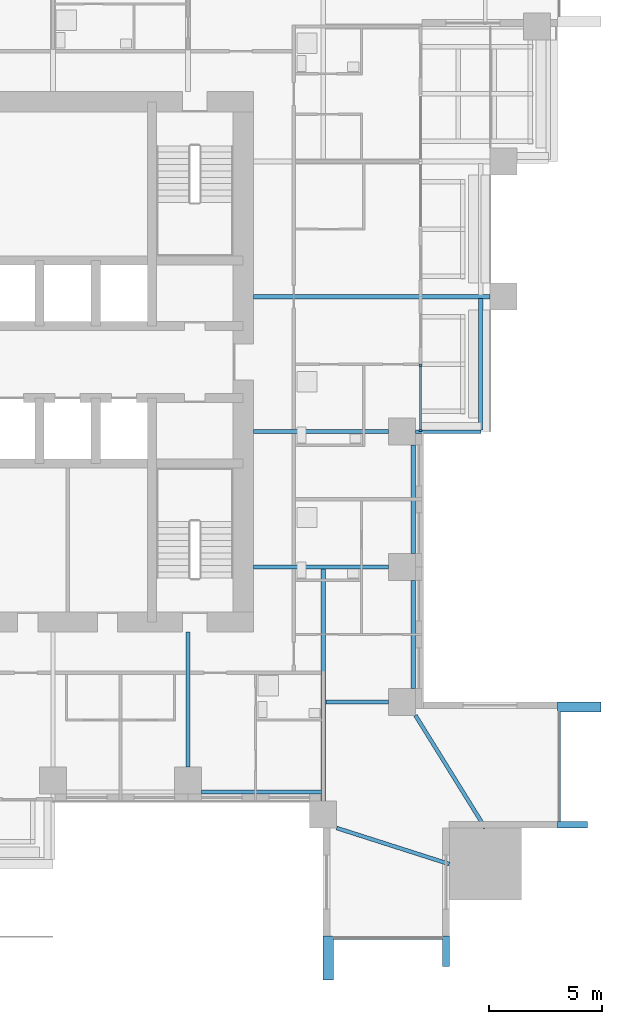
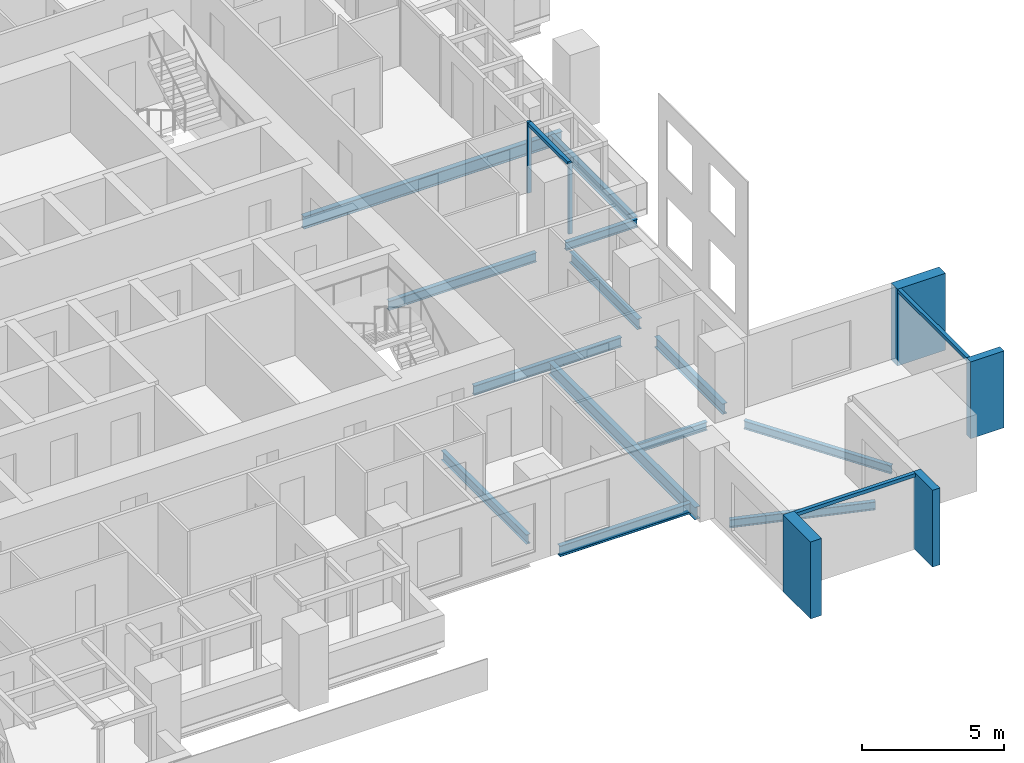
# One storey, part 3 of 15: 13 beams, 9 members, 3 elements without a shape of their own.
"""IFC4 building model written with IfcOpenShell, lengths in metres."""

from ifc_helpers import new_model, si_unit, direction, frame, origin, origin_2d, place, context, subcontext, project, spatial, rectangle, i_section, extrude, material, material_profile, profile_set, type_object, element, aggregate, save


model = new_model("IFC4")

# Units and contexts
model_context = context("Model", 3, precision=1e-05, world=origin(), true_north=direction((0.0, 1.0)))
body_context = subcontext(model_context, "Body", "Model", "MODEL_VIEW")
ifc_project = project(units=[si_unit("LENGTHUNIT", "METRE"), si_unit("AREAUNIT", "SQUARE_METRE"), si_unit("VOLUMEUNIT", "CUBIC_METRE"), si_unit("PLANEANGLEUNIT", "RADIAN"), si_unit("MASSUNIT", "GRAM", prefix="KILO")], contexts=[model_context])

# Site, building, storey
site_placement = place(None, origin())
site = spatial("IfcSite", under=ifc_project, at=site_placement, CompositionType="ELEMENT")
building_placement = place(site_placement, origin())
building = spatial("IfcBuilding", under=site, at=building_placement, Name="Amberfall Residences", CompositionType="ELEMENT")
storey_placement = place(building_placement, frame((0.0, 0.0, 53.199951171875)))
storey = spatial("IfcBuildingStorey", under=building, at=storey_placement, Name="L14", CompositionType="ELEMENT", Elevation=53.199951171875)

# Curtain wall, member
ifc_material_1 = material(Name="Bronze anodised aluminium and glass", Category="aluminium")
curtain_wall_type_1 = type_object("IfcCurtainWallType", Name="Curtain wall CW1 tower unit", PredefinedType="USERDEFINED", material=ifc_material_1)
curtain_wall_1_placement = place(storey_placement, origin())
curtain_wall_1 = element("IfcCurtainWall", 1, at=curtain_wall_1_placement, inside=storey, type_object=curtain_wall_type_1, Name="Curtain wall L14 S S9", ObjectType="UNITISED CURTAIN WALL", PredefinedType="USERDEFINED")
ifc_material_2 = material(Name="Bronze anodised aluminium", Category="aluminium")
ifc_material_profile_1 = material_profile(ifc_material_2, rectangle(XDim=0.14990234375, YDim=0.14990234375, at=origin_2d()), Name="CW1 transom 150 x 150 bronze")
ifc_profile_set_1 = profile_set([ifc_material_profile_1], Name="Bronze anodised aluminium")
member_type_1 = type_object("IfcMemberType", Name="CW1 transom 150 x 150 bronze", PredefinedType="USERDEFINED", material=ifc_profile_set_1)
member_1_placement = place(storey_placement, frame((90.050048828125, 19.925048828125, 2.97509765625), z_axis=(1.0, 0.0, 0.0), x_axis=(0.0, 1.0, 0.0)))
member_1 = element("IfcMember", 2, at=member_1_placement, type_object=member_type_1, Name="CW1 transom 1.1", ObjectType="TRANSOM", PredefinedType="USERDEFINED", context=body_context, shape_type="SweptSolid", body=[
    extrude(rectangle(XDim=0.14990234375, YDim=0.14990234375, at=origin_2d()), origin(), (0.0, 0.0, 1.0), 4.849853515625),
])

curtain_wall_2_placement = place(storey_placement, origin())
curtain_wall_2 = element("IfcCurtainWall", 3, at=curtain_wall_2_placement, inside=storey, type_object=curtain_wall_type_1, Name="Curtain wall L14 E E1", ObjectType="UNITISED CURTAIN WALL", PredefinedType="USERDEFINED")
member_2_placement = place(storey_placement, frame((100.074951171875, 25.10009765625, 2.97509765625), z_axis=(0.0, 1.0, 0.0), x_axis=(-1.0, 0.0, 0.0)))
member_2 = element("IfcMember", 4, at=member_2_placement, type_object=member_type_1, Name="CW1 transom 1.1", ObjectType="TRANSOM", PredefinedType="USERDEFINED", context=body_context, shape_type="SweptSolid", body=[
    extrude(rectangle(XDim=0.14990234375, YDim=0.14990234375, at=origin_2d()), origin(), (0.0, 0.0, 1.0), 4.849853515625),
])

# Curtain wall, members
curtain_wall_type_2 = type_object("IfcCurtainWallType", Name="Curtain wall CW3 sky garden glazing", PredefinedType="USERDEFINED", material=ifc_material_1)
curtain_wall_3_placement = place(storey_placement, origin())
curtain_wall_3 = element("IfcCurtainWall", 5, at=curtain_wall_3_placement, inside=storey, type_object=curtain_wall_type_2, Name="Curtain wall L14 E E5", ObjectType="UNITISED CURTAIN WALL", PredefinedType="USERDEFINED")
ifc_material_profile_2 = material_profile(ifc_material_2, rectangle(XDim=0.14990234375, YDim=0.10009765625, at=origin_2d()), Name="CW3 mullion 100 x 150 bronze")
ifc_profile_set_2 = profile_set([ifc_material_profile_2], Name="Bronze anodised aluminium")
member_type_2 = type_object("IfcMemberType", Name="CW3 mullion 100 x 150 bronze", PredefinedType="MULLION", material=ifc_profile_set_2)
member_3_placement = place(storey_placement, frame((93.925048828125, 42.449951171875, 0.0), z_axis=(0.0, 0.0, 1.0), x_axis=(-1.0, 0.0, 0.0)))
member_3 = element("IfcMember", 6, at=member_3_placement, type_object=member_type_2, Name="CW3 mullion 1", PredefinedType="MULLION", context=body_context, shape_type="SweptSolid", body=[
    extrude(rectangle(XDim=0.14990234375, YDim=0.10009765625, at=origin_2d()), origin(), (0.0, 0.0, 1.0), 3.050048828125),
])
member_4_placement = place(storey_placement, frame((93.925048828125, 45.35009765625, 0.0), z_axis=(0.0, 0.0, 1.0), x_axis=(-1.0, 0.0, 0.0)))
member_4 = element("IfcMember", 7, at=member_4_placement, type_object=member_type_2, Name="CW3 mullion 2", PredefinedType="MULLION", context=body_context, shape_type="SweptSolid", body=[
    extrude(rectangle(XDim=0.14990234375, YDim=0.10009765625, at=origin_2d()), origin(), (0.0, 0.0, 1.0), 3.050048828125),
])
ifc_material_profile_3 = material_profile(ifc_material_2, rectangle(XDim=0.14990234375, YDim=0.14990234375, at=origin_2d()), Name="CW3 transom 150 x 150 bronze")
ifc_profile_set_3 = profile_set([ifc_material_profile_3], Name="Bronze anodised aluminium")
member_type_3 = type_object("IfcMemberType", Name="CW3 transom 150 x 150 bronze", PredefinedType="USERDEFINED", material=ifc_profile_set_3)
member_5_placement = place(storey_placement, frame((93.925048828125, 42.5, 2.97509765625), z_axis=(0.0, 1.0, 0.0), x_axis=(-1.0, 0.0, 0.0)))
member_5 = element("IfcMember", 8, at=member_5_placement, type_object=member_type_3, Name="CW3 transom 1.1", ObjectType="TRANSOM", PredefinedType="USERDEFINED", context=body_context, shape_type="SweptSolid", body=[
    extrude(rectangle(XDim=0.14990234375, YDim=0.14990234375, at=origin_2d()), origin(), (0.0, 0.0, 1.0), 2.800048828125),
])
aggregate(curtain_wall_3, [member_3, member_4, member_5])

# Beam
ifc_material_3 = material(Name="Steel S355", Category="steel")
ifc_material_profile_4 = material_profile(ifc_material_3, i_section(OverallWidth=0.171142578125, OverallDepth=0.351318359375, WebThickness=0.007080078125, FlangeThickness=0.009765625, FilletRadius=0.01025390625, at=origin_2d()), Name="UB 356x171x45")
ifc_profile_set_4 = profile_set([ifc_material_profile_4], Name="Steel S355")
beam_type_1 = type_object("IfcBeamType", Name="Cantilever girder UB 356x171x45", PredefinedType="BEAM", material=ifc_profile_set_4)
beam_1_placement = place(storey_placement, frame((93.699951171875, 42.39990234375, -0.425537109375), z_axis=(1.0, 0.0, 0.0), x_axis=(0.0, 1.0, 0.0)))
element("IfcBeam", 9, at=beam_1_placement, inside=storey, type_object=beam_type_1, Name="Cantilever girder B8 L14 19", PredefinedType="BEAM", context=body_context, shape_type="SweptSolid", body=[
    extrude(i_section(OverallWidth=0.171142578125, OverallDepth=0.351318359375, WebThickness=0.007080078125, FlangeThickness=0.009765625, FilletRadius=0.01025390625, at=origin_2d()), origin(), (0.0, 0.0, 1.0), 2.900146484375),
])

# Member
ifc_material_profile_5 = material_profile(ifc_material_2, rectangle(XDim=1.35009765625, YDim=0.300048828125, at=origin_2d()), Name="Corner fin 300 x 1350 bronze")
ifc_profile_set_5 = profile_set([ifc_material_profile_5], Name="Bronze anodised aluminium")
member_type_4 = type_object("IfcMemberType", Name="Corner fin 300 x 1350 bronze", PredefinedType="MULLION", material=ifc_profile_set_5)
member_6_placement = place(storey_placement, frame((95.050048828125, 19.324951171875, -0.25), z_axis=(0.0, 0.0, 1.0), x_axis=(0.0, 1.0, 0.0)))
member_6 = element("IfcMember", 10, at=member_6_placement, type_object=member_type_4, Name="CW FIN 2", PredefinedType="MULLION", context=body_context, shape_type="SweptSolid", body=[
    extrude(rectangle(XDim=1.35009765625, YDim=0.300048828125, at=origin_2d()), origin(), (0.0, 0.0, 1.0), 3.300048828125),
])

member_7_placement = place(storey_placement, frame((100.675048828125, 24.949951171875, -0.25), z_axis=(0.0, 0.0, 1.0), x_axis=(-1.0, 0.0, 0.0)))
member_7 = element("IfcMember", 11, at=member_7_placement, type_object=member_type_4, Name="CW FIN 1", PredefinedType="MULLION", context=body_context, shape_type="SweptSolid", body=[
    extrude(rectangle(XDim=1.35009765625, YDim=0.300048828125, at=origin_2d()), origin(), (0.0, 0.0, 1.0), 3.300048828125),
])

# Beams
ifc_material_profile_6 = material_profile(ifc_material_3, i_section(OverallWidth=0.18994140625, OverallDepth=0.453369140625, WebThickness=0.008544921875, FlangeThickness=0.0126953125, FilletRadius=0.01025390625, at=origin_2d()), Name="UB 457x191x67")
ifc_profile_set_6 = profile_set([ifc_material_profile_6], Name="Steel S355")
beam_type_2 = type_object("IfcBeamType", Name="Edge beam UB 457x191x67", PredefinedType="SPANDREL", material=ifc_profile_set_6)
beam_2_placement = place(storey_placement, frame((84.199951171875, 26.39990234375, -0.4765625), z_axis=(1.0, 0.0, 0.0), x_axis=(0.0, 1.0, 0.0)))
element("IfcBeam", 12, at=beam_2_placement, inside=storey, type_object=beam_type_2, Name="Edge beam B1 L14 05", PredefinedType="SPANDREL", context=body_context, shape_type="SweptSolid", body=[
    extrude(i_section(OverallWidth=0.18994140625, OverallDepth=0.453369140625, WebThickness=0.008544921875, FlangeThickness=0.0126953125, FilletRadius=0.01025390625, at=origin_2d()), origin(), (0.0, 0.0, 1.0), 5.320068359375),
])
for number, where, z_axis, x_axis, name in (
    (13, (93.60009765625, 31.0, -0.4765625), (0.0, 1.0, 0.0), (-1.0, 0.0, 0.0), "Edge beam B1 L14 14"),
    (14, (93.60009765625, 37.0, -0.4765625), (0.0, 1.0, 0.0), (-1.0, 0.0, 0.0), "Edge beam B1 L14 15"),
):
    element("IfcBeam", number, at=place(storey_placement, frame(where, z_axis=z_axis, x_axis=x_axis)), inside=storey, type_object=beam_type_2, Name=name, PredefinedType="SPANDREL", context=body_context, shape_type="SweptSolid", body=[
        extrude(i_section(OverallWidth=0.18994140625, OverallDepth=0.453369140625, WebThickness=0.008544921875, FlangeThickness=0.0126953125, FilletRadius=0.01025390625, at=origin_2d()), origin(), (0.0, 0.0, 1.0), 4.800048828125),
    ])
beam_3_placement = place(storey_placement, frame((96.60009765625, 42.47998046875, -0.4765625), z_axis=(0.0, 1.0, 0.0), x_axis=(-1.0, 0.0, 0.0)))
element("IfcBeam", 15, at=beam_3_placement, inside=storey, type_object=beam_type_2, Name="Edge beam B1 L14 16", PredefinedType="SPANDREL", context=body_context, shape_type="SweptSolid", body=[
    extrude(i_section(OverallWidth=0.18994140625, OverallDepth=0.453369140625, WebThickness=0.008544921875, FlangeThickness=0.0126953125, FilletRadius=0.01025390625, at=origin_2d()), origin(), (0.0, 0.0, 1.0), 5.840087890625),
])

# Member
ifc_material_profile_7 = material_profile(ifc_material_2, rectangle(XDim=1.949951171875, YDim=0.449951171875, at=origin_2d()), Name="Fin 450 x 1950 bronze")
ifc_profile_set_7 = profile_set([ifc_material_profile_7], Name="Bronze anodised aluminium")
member_type_5 = type_object("IfcMemberType", Name="Fin 450 x 1950 bronze", PredefinedType="MULLION", material=ifc_profile_set_7)
member_8_placement = place(storey_placement, frame((89.824951171875, 19.02490234375, -0.25), z_axis=(0.0, 0.0, 1.0), x_axis=(0.0, 1.0, 0.0)))
member_8 = element("IfcMember", 16, at=member_8_placement, type_object=member_type_5, Name="CW FIN 1", PredefinedType="MULLION", context=body_context, shape_type="SweptSolid", body=[
    extrude(rectangle(XDim=1.949951171875, YDim=0.449951171875, at=origin_2d()), origin(), (0.0, 0.0, 1.0), 3.300048828125),
])

aggregate(curtain_wall_1, [member_8, member_6, member_1])

member_9_placement = place(storey_placement, frame((100.97509765625, 30.175048828125, -0.25), z_axis=(0.0, 0.0, 1.0), x_axis=(-1.0, 0.0, 0.0)))
member_9 = element("IfcMember", 17, at=member_9_placement, type_object=member_type_5, Name="CW FIN 2", PredefinedType="MULLION", context=body_context, shape_type="SweptSolid", body=[
    extrude(rectangle(XDim=1.949951171875, YDim=0.449951171875, at=origin_2d()), origin(), (0.0, 0.0, 1.0), 3.300048828125),
])

aggregate(curtain_wall_2, [member_7, member_9, member_2])

# Beams
ifc_material_profile_8 = material_profile(ifc_material_3, i_section(OverallWidth=0.171142578125, OverallDepth=0.351318359375, WebThickness=0.007080078125, FlangeThickness=0.009765625, FilletRadius=0.01025390625, at=origin_2d()), Name="UB 356x171x45")
ifc_profile_set_8 = profile_set([ifc_material_profile_8], Name="Steel S355")
beam_type_3 = type_object("IfcBeamType", Name="Floor girder UB 356x171x45", PredefinedType="BEAM", material=ifc_profile_set_8)
beam_4_placement = place(storey_placement, frame((92.5, 30.39990234375, -0.425537109375), z_axis=(-1.0, 0.0, 0.0), x_axis=(0.0, -1.0, 0.0)))
element("IfcBeam", 18, at=beam_4_placement, inside=storey, type_object=beam_type_3, Name="Floor girder B11 L14 21", PredefinedType="BEAM", context=body_context, shape_type="SweptSolid", body=[
    extrude(i_section(OverallWidth=0.171142578125, OverallDepth=0.351318359375, WebThickness=0.007080078125, FlangeThickness=0.009765625, FilletRadius=0.01025390625, at=origin_2d()), origin(), (0.0, 0.0, 1.0), 2.780029296875),
])
ifc_material_profile_9 = material_profile(ifc_material_3, i_section(OverallWidth=0.177734375, OverallDepth=0.402587890625, WebThickness=0.0078125, FlangeThickness=0.010986328125, FilletRadius=0.01025390625, at=origin_2d()), Name="UB 406x178x54")
ifc_profile_set_9 = profile_set([ifc_material_profile_9], Name="Steel S355")
beam_type_4 = type_object("IfcBeamType", Name="Floor girder UB 406x178x54", PredefinedType="BEAM", material=ifc_profile_set_9)
for number, where, z_axis, x_axis, name in (
    (19, (83.60009765625, 27.5, -0.451171875), (0.0, 1.0, 0.0), (-1.0, 0.0, 0.0), "Floor girder B4 L14 12"),
    (20, (92.5, 36.39990234375, -0.451171875), (-1.0, 0.0, 0.0), (0.0, -1.0, 0.0), "Floor girder B4 L14 22"),
    (21, (92.5, 42.39990234375, -0.451171875), (-1.0, 0.0, 0.0), (0.0, -1.0, 0.0), "Floor girder B4 L14 23"),
):
    element("IfcBeam", number, at=place(storey_placement, frame(where, z_axis=z_axis, x_axis=x_axis)), inside=storey, type_object=beam_type_4, Name=name, PredefinedType="BEAM", context=body_context, shape_type="SweptSolid", body=[
        extrude(i_section(OverallWidth=0.177734375, OverallDepth=0.402587890625, WebThickness=0.0078125, FlangeThickness=0.010986328125, FilletRadius=0.01025390625, at=origin_2d()), origin(), (0.0, 0.0, 1.0), 6.0),
    ])
ifc_material_profile_10 = material_profile(ifc_material_3, i_section(OverallWidth=0.209228515625, OverallDepth=0.533203125, WebThickness=0.010009765625, FlangeThickness=0.015625, FilletRadius=0.0126953125, at=origin_2d()), Name="UB 533x210x92")
ifc_profile_set_10 = profile_set([ifc_material_profile_10], Name="Steel S355")
beam_type_5 = type_object("IfcBeamType", Name="Floor girder UB 533x210x92", PredefinedType="BEAM", material=ifc_profile_set_10)
beam_5_placement = place(storey_placement, frame((89.60009765625, 26.0, -0.5166015625), z_axis=(0.0, 1.0, 0.0), x_axis=(-1.0, 0.0, 0.0)))
element("IfcBeam", 22, at=beam_5_placement, inside=storey, type_object=beam_type_5, Name="Floor girder B3 L14 13", PredefinedType="BEAM", context=body_context, shape_type="SweptSolid", body=[
    extrude(i_section(OverallWidth=0.209228515625, OverallDepth=0.533203125, WebThickness=0.010009765625, FlangeThickness=0.015625, FilletRadius=0.0126953125, at=origin_2d()), origin(), (0.0, 0.0, 1.0), 10.316162109375),
])
beam_6_placement = place(storey_placement, frame((97.0, 48.39990234375, -0.5166015625), z_axis=(-1.0, 0.0, 0.0), x_axis=(0.0, -1.0, 0.0)))
element("IfcBeam", 23, at=beam_6_placement, inside=storey, type_object=beam_type_5, Name="Floor girder B3 L14 24", PredefinedType="BEAM", context=body_context, shape_type="SweptSolid", body=[
    extrude(i_section(OverallWidth=0.209228515625, OverallDepth=0.533203125, WebThickness=0.010009765625, FlangeThickness=0.015625, FilletRadius=0.0126953125, at=origin_2d()), origin(), (0.0, 0.0, 1.0), 10.5),
])
ifc_material_profile_11 = material_profile(ifc_material_3, i_section(OverallWidth=0.171142578125, OverallDepth=0.351318359375, WebThickness=0.007080078125, FlangeThickness=0.009765625, FilletRadius=0.01025390625, at=origin_2d()), Name="UB 356x171x45")
ifc_profile_set_11 = profile_set([ifc_material_profile_11], Name="Steel S355")
beam_type_6 = type_object("IfcBeamType", Name="Link beam UB 356x171x45", PredefinedType="BEAM", material=ifc_profile_set_11)
beam_7_placement = place(storey_placement, frame((95.199951171875, 23.199951171875, -0.425537109375), z_axis=(-0.952418747361, 0.304792601084, 0.0), x_axis=(-0.304792601084, -0.952418747361, 0.0)))
element("IfcBeam", 24, at=beam_7_placement, inside=storey, type_object=beam_type_6, Name="Link beam B7 L14 51", PredefinedType="BEAM", context=body_context, shape_type="SweptSolid", body=[
    extrude(i_section(OverallWidth=0.171142578125, OverallDepth=0.351318359375, WebThickness=0.007080078125, FlangeThickness=0.009765625, FilletRadius=0.01025390625, at=origin_2d()), origin(), (0.0, 0.0, 1.0), 5.249755859375),
])
beam_8_placement = place(storey_placement, frame((96.800048828125, 24.800048828125, -0.425537109375), z_axis=(-0.526951659214, 0.849895257577, 0.0), x_axis=(-0.849895257577, -0.526951659214, 0.0)))
element("IfcBeam", 25, at=beam_8_placement, inside=storey, type_object=beam_type_6, Name="Link beam B7 L14 52", PredefinedType="BEAM", context=body_context, shape_type="SweptSolid", body=[
    extrude(i_section(OverallWidth=0.171142578125, OverallDepth=0.351318359375, WebThickness=0.007080078125, FlangeThickness=0.009765625, FilletRadius=0.01025390625, at=origin_2d()), origin(), (0.0, 0.0, 1.0), 5.883056640625),
])

save(model, "model.ifc")
